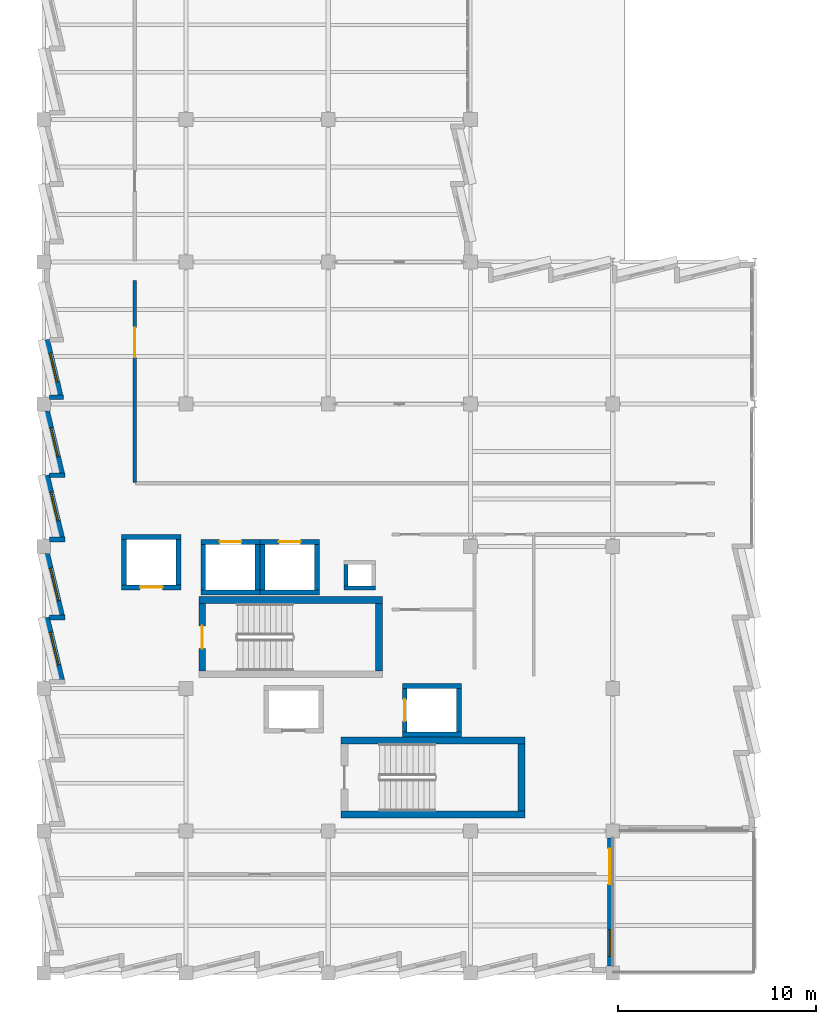
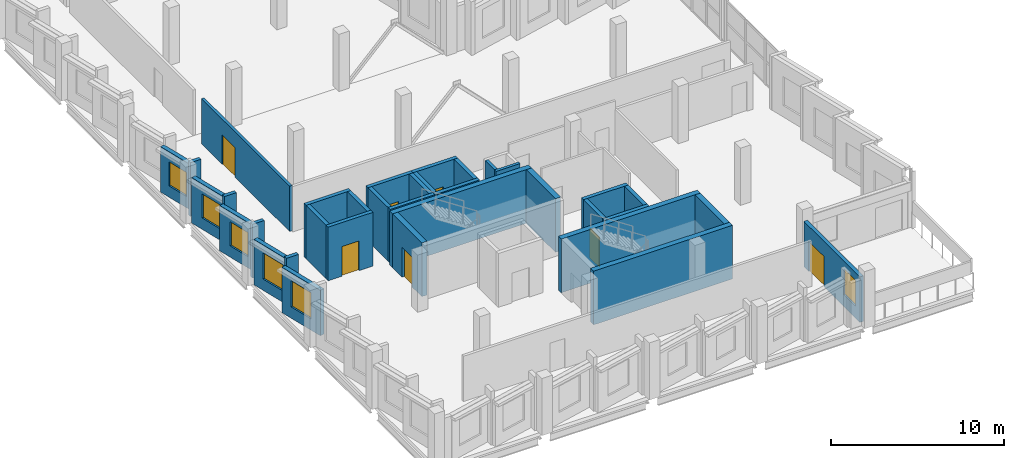
# One storey, part 29 of 38: 35 walls, 7 doors, 6 windows, 13 openings.
"""IFC4 building model written with IfcOpenShell, lengths in metres."""

from ifc_helpers import new_model, si_unit, direction, frame, frame_2d, origin, place, context, subcontext, project, spatial, rectangle, extrude, material, layer, layer_set, type_object, element, fill, save


model = new_model("IFC4")

# Units and contexts
model_context = context("Model", 3, precision=1e-05, world=origin(), true_north=direction((0.0, 1.0)))
body_context = subcontext(model_context, "Body", "Model", "MODEL_VIEW")
ifc_project = project(units=[si_unit("LENGTHUNIT", "METRE"), si_unit("AREAUNIT", "SQUARE_METRE"), si_unit("VOLUMEUNIT", "CUBIC_METRE"), si_unit("PLANEANGLEUNIT", "RADIAN"), si_unit("MASSUNIT", "GRAM", prefix="KILO")], contexts=[model_context])

# Site, building, storey
site_placement = place(None, origin())
site = spatial("IfcSite", under=ifc_project, at=site_placement, CompositionType="ELEMENT")
building_placement = place(site_placement, origin())
building = spatial("IfcBuilding", under=site, at=building_placement, Name="Kalmorath City Hall", CompositionType="ELEMENT")
storey_placement = place(building_placement, frame((0.0, 0.0, 18.89990234375)))
storey = spatial("IfcBuildingStorey", under=building, at=storey_placement, Name="L04", CompositionType="ELEMENT", Elevation=18.89990234375)

# Wall
ifc_material_1 = material(Name="Concrete C50/60", Category="concrete")
ifc_layer_1 = layer(ifc_material_1, 0.35009765625)
ifc_layer_set_1 = layer_set([ifc_layer_1], Name="Concrete C50/60")
wall_type_1 = type_object("IfcWallType", Name="Concrete core shear wall 350", PredefinedType="SHEAR", material=ifc_layer_set_1)
wall_1_placement = place(storey_placement, frame((17.14990234375, 18.875, 0.0), z_axis=(0.0, 0.0, 1.0), x_axis=(-1.0, 0.0, 0.0)))
element("IfcWall", 1, at=wall_1_placement, inside=storey, type_object=wall_type_1, Name="L04 C1 stair core shear wall N", PredefinedType="SHEAR", context=body_context, shape_type="SweptSolid", body=[
    extrude(rectangle(XDim=9.2998046875, YDim=0.35009765625, at=frame_2d((4.64990234375, 0.0))), origin(), (0.0, 0.0, 1.0), 3.800048828125),
])

# Wall, opening, door
wall_2_placement = place(storey_placement, frame((8.02490234375, 18.699951171875, 0.0), z_axis=(0.0, 0.0, 1.0), x_axis=(0.0, -1.0, 0.0)))
wall_2 = element("IfcWall", 2, at=wall_2_placement, inside=storey, type_object=wall_type_1, Name="L04 C1 stair core shear wall W", PredefinedType="SHEAR", context=body_context, shape_type="SweptSolid", body=[
    extrude(rectangle(XDim=3.39990234375, YDim=0.35009765625, at=frame_2d((1.699951171875, 0.0))), origin(), (0.0, 0.0, 1.0), 3.800048828125),
])
opening_1_placement = place(wall_2_placement, frame((1.125, 0.0, 0.0)))
opening_1 = element("IfcOpeningElement", 3, at=opening_1_placement, cuts=wall_2, Name="Opening D-L04-006", PredefinedType="OPENING", context=body_context, shape_type="SweptSolid", body=[
    extrude(rectangle(XDim=1.14990234375, YDim=2.10009765625, at=frame_2d((0.574951171875, 1.050048828125))), frame((0.0, 0.18505859375, 0.0), z_axis=(0.0, -1.0, 0.0), x_axis=(1.0, 0.0, 0.0)), (0.0, 0.0, 1.0), 0.3701171875),
])
ifc_material_2 = material(Name="Galvanised steel fire door", Category="steel")
door_type_1 = type_object("IfcDoorType", Name="Stair enclosure 90-min fire door 1150x2100", OperationType="NOTDEFINED", PredefinedType="DOOR", material=ifc_material_2)
door_1_placement = place(opening_1_placement, frame((1.14990234375, 0.0, 0.0), z_axis=(0.0, 0.0, 1.0), x_axis=(-1.0, 0.0, 0.0)))
door_1 = element("IfcDoor", 4, at=door_1_placement, inside=storey, type_object=door_type_1, Name="L04 door D-L04-006", OperationType="SINGLE_SWING_RIGHT", OverallHeight=2.10009765625, OverallWidth=1.14990234375, PredefinedType="DOOR", context=body_context, shape_type="SweptSolid", body=[
    extrude(rectangle(XDim=1.14990234375, YDim=2.10009765625, at=frame_2d((0.574951171875, 1.050048828125))), frame((0.0, 0.02490234375, 0.0), z_axis=(0.0, -1.0, 0.0), x_axis=(1.0, 0.0, 0.0)), (0.0, 0.0, 1.0), 0.050048828125),
])
fill(opening_1, door_1)

# Walls
wall_3_placement = place(storey_placement, frame((16.97509765625, 15.300048828125, 0.0), z_axis=(0.0, 0.0, 1.0), x_axis=(0.0, 1.0, 0.0)))
element("IfcWall", 5, at=wall_3_placement, inside=storey, type_object=wall_type_1, Name="L04 C1 stair core shear wall E", PredefinedType="SHEAR", context=body_context, shape_type="SweptSolid", body=[
    extrude(rectangle(XDim=3.39990234375, YDim=0.35009765625, at=frame_2d((1.699951171875, 0.0))), origin(), (0.0, 0.0, 1.0), 3.800048828125),
])
for number, where, z_axis, x_axis, name in (
    (6, (15.050048828125, 8.02490234375, 0.0), (0.0, 0.0, 1.0), (1.0, 0.0, 0.0), "L04 C2 stair core shear wall S"),
    (7, (24.35009765625, 11.77490234375, 0.0), (0.0, 0.0, 1.0), (-1.0, 0.0, 0.0), "L04 C2 stair core shear wall N"),
):
    element("IfcWall", number, at=place(storey_placement, frame(where, z_axis=z_axis, x_axis=x_axis)), inside=storey, type_object=wall_type_1, Name=name, PredefinedType="SHEAR", context=body_context, shape_type="SweptSolid", body=[
        extrude(rectangle(XDim=9.300048828125, YDim=0.35009765625, at=frame_2d((4.64990234375, 0.0))), origin(), (0.0, 0.0, 1.0), 3.800048828125),
    ])
wall_4_placement = place(storey_placement, frame((24.175048828125, 8.199951171875, 0.0), z_axis=(0.0, 0.0, 1.0), x_axis=(0.0, 1.0, 0.0)))
element("IfcWall", 8, at=wall_4_placement, inside=storey, type_object=wall_type_1, Name="L04 C2 stair core shear wall E", PredefinedType="SHEAR", context=body_context, shape_type="SweptSolid", body=[
    extrude(rectangle(XDim=3.400146484375, YDim=0.35009765625, at=frame_2d((1.7001953125, 0.0))), origin(), (0.0, 0.0, 1.0), 3.800048828125),
])

# Wall, opening, door
ifc_material_3 = material(Name="Concrete C50/60", Category="concrete")
ifc_layer_2 = layer(ifc_material_3, 0.25)
ifc_layer_set_2 = layer_set([ifc_layer_2], Name="Concrete C50/60")
wall_type_2 = type_object("IfcWallType", Name="Concrete lift shaft wall 250", PredefinedType="SHEAR", material=ifc_layer_set_2)
wall_5_placement = place(storey_placement, frame((3.949951171875, 19.52490234375, 0.0), z_axis=(0.0, 0.0, 1.0), x_axis=(1.0, 0.0, 0.0)))
wall_5 = element("IfcWall", 9, at=wall_5_placement, inside=storey, type_object=wall_type_2, Name="L04 FL1 lift shaft wall -y", PredefinedType="SHEAR", context=body_context, shape_type="SweptSolid", body=[
    extrude(rectangle(XDim=3.0, YDim=0.25, at=frame_2d((1.5, 0.0))), origin(), (0.0, 0.0, 1.0), 3.800048828125),
])
opening_2_placement = place(wall_5_placement, frame((0.925048828125, 0.0, 0.0)))
opening_2 = element("IfcOpeningElement", 10, at=opening_2_placement, cuts=wall_5, Name="Opening LD-015", PredefinedType="OPENING", context=body_context, shape_type="SweptSolid", body=[
    extrude(rectangle(XDim=1.14990234375, YDim=2.10009765625, at=frame_2d((0.574951171875, 1.050048828125))), frame((0.0, 0.135009765625, 0.0), z_axis=(0.0, -1.0, 0.0), x_axis=(1.0, 0.0, 0.0)), (0.0, 0.0, 1.0), 0.27001953125),
])
ifc_material_4 = material(Name="Stainless steel sliding landing door", Category="steel")
door_type_2 = type_object("IfcDoorType", Name="Firefighting lift sliding landing door 1150x2100", OperationType="SLIDING_TO_RIGHT", PredefinedType="DOOR", material=ifc_material_4)
door_2_placement = place(opening_2_placement, origin())
door_2 = element("IfcDoor", 11, at=door_2_placement, inside=storey, type_object=door_type_2, Name="L04 door LD-015", OperationType="SLIDING_TO_RIGHT", OverallHeight=2.10009765625, OverallWidth=1.14990234375, PredefinedType="DOOR", context=body_context, shape_type="SweptSolid", body=[
    extrude(rectangle(XDim=1.14990234375, YDim=2.10009765625, at=frame_2d((0.574951171875, 1.050048828125))), frame((0.0, 0.02490234375, 0.0), z_axis=(0.0, -1.0, 0.0), x_axis=(1.0, 0.0, 0.0)), (0.0, 0.0, 1.0), 0.050048828125),
])
fill(opening_2, door_2)

# Walls
wall_6_placement = place(storey_placement, frame((6.949951171875, 22.074951171875, 0.0), z_axis=(0.0, 0.0, 1.0), x_axis=(-1.0, 0.0, 0.0)))
element("IfcWall", 12, at=wall_6_placement, inside=storey, type_object=wall_type_2, Name="L04 FL1 lift shaft wall +y", PredefinedType="SHEAR", context=body_context, shape_type="SweptSolid", body=[
    extrude(rectangle(XDim=3.0, YDim=0.25, at=frame_2d((1.5, 0.0))), origin(), (0.0, 0.0, 1.0), 3.800048828125),
])
for number, where, z_axis, x_axis, name in (
    (13, (4.074951171875, 21.949951171875, 0.0), (0.0, 0.0, 1.0), (0.0, -1.0, 0.0), "L04 FL1 lift shaft wall -x"),
    (14, (6.824951171875, 19.64990234375, 0.0), (0.0, 0.0, 1.0), (0.0, 1.0, 0.0), "L04 FL1 lift shaft wall +x"),
):
    element("IfcWall", number, at=place(storey_placement, frame(where, z_axis=z_axis, x_axis=x_axis)), inside=storey, type_object=wall_type_2, Name=name, PredefinedType="SHEAR", context=body_context, shape_type="SweptSolid", body=[
        extrude(rectangle(XDim=2.300048828125, YDim=0.25, at=frame_2d((1.14990234375, 0.0))), origin(), (0.0, 0.0, 1.0), 3.800048828125),
    ])
wall_7_placement = place(storey_placement, frame((7.949951171875, 19.27490234375, 0.0), z_axis=(0.0, 0.0, 1.0), x_axis=(1.0, 0.0, 0.0)))
element("IfcWall", 15, at=wall_7_placement, inside=storey, type_object=wall_type_2, Name="L04 PL1 lift shaft wall -y", PredefinedType="SHEAR", context=body_context, shape_type="SweptSolid", body=[
    extrude(rectangle(XDim=3.0, YDim=0.25, at=frame_2d((1.5, 0.0))), origin(), (0.0, 0.0, 1.0), 3.800048828125),
])

# Wall, opening, door
wall_8_placement = place(storey_placement, frame((10.949951171875, 21.824951171875, 0.0), z_axis=(0.0, 0.0, 1.0), x_axis=(-1.0, 0.0, 0.0)))
wall_8 = element("IfcWall", 16, at=wall_8_placement, inside=storey, type_object=wall_type_2, Name="L04 PL1 lift shaft wall +y", PredefinedType="SHEAR", context=body_context, shape_type="SweptSolid", body=[
    extrude(rectangle(XDim=3.0, YDim=0.25, at=frame_2d((1.5, 0.0))), origin(), (0.0, 0.0, 1.0), 3.800048828125),
])
opening_3_placement = place(wall_8_placement, frame((0.949951171875, 0.0, 0.0)))
opening_3 = element("IfcOpeningElement", 17, at=opening_3_placement, cuts=wall_8, Name="Opening LD-024", PredefinedType="OPENING", context=body_context, shape_type="SweptSolid", body=[
    extrude(rectangle(XDim=1.10009765625, YDim=2.10009765625, at=frame_2d((0.550048828125, 1.050048828125))), frame((0.0, 0.135009765625, 0.0), z_axis=(0.0, -1.0, 0.0), x_axis=(1.0, 0.0, 0.0)), (0.0, 0.0, 1.0), 0.27001953125),
])
ifc_material_5 = material(Name="Stainless steel sliding landing door", Category="steel")
door_type_3 = type_object("IfcDoorType", Name="Passenger lift sliding landing door 1100x2100", OperationType="SLIDING_TO_LEFT", PredefinedType="DOOR", material=ifc_material_5)
door_3_placement = place(opening_3_placement, origin())
door_3 = element("IfcDoor", 18, at=door_3_placement, inside=storey, type_object=door_type_3, Name="L04 door LD-024", OperationType="SLIDING_TO_LEFT", OverallHeight=2.10009765625, OverallWidth=1.10009765625, PredefinedType="DOOR", context=body_context, shape_type="SweptSolid", body=[
    extrude(rectangle(XDim=1.10009765625, YDim=2.10009765625, at=frame_2d((0.550048828125, 1.050048828125))), frame((0.0, 0.02490234375, 0.0), z_axis=(0.0, -1.0, 0.0), x_axis=(1.0, 0.0, 0.0)), (0.0, 0.0, 1.0), 0.050048828125),
])
fill(opening_3, door_3)

# Walls
for number, where, z_axis, x_axis, name in (
    (19, (8.074951171875, 21.699951171875, 0.0), (0.0, 0.0, 1.0), (0.0, -1.0, 0.0), "L04 PL1 lift shaft wall -x"),
    (20, (10.824951171875, 19.39990234375, 0.0), (0.0, 0.0, 1.0), (0.0, 1.0, 0.0), "L04 PL1 lift shaft wall +x"),
):
    element("IfcWall", number, at=place(storey_placement, frame(where, z_axis=z_axis, x_axis=x_axis)), inside=storey, type_object=wall_type_2, Name=name, PredefinedType="SHEAR", context=body_context, shape_type="SweptSolid", body=[
        extrude(rectangle(XDim=2.300048828125, YDim=0.25, at=frame_2d((1.14990234375, 0.0))), origin(), (0.0, 0.0, 1.0), 3.800048828125),
    ])
wall_9_placement = place(storey_placement, frame((10.949951171875, 19.27490234375, 0.0), z_axis=(0.0, 0.0, 1.0), x_axis=(1.0, 0.0, 0.0)))
element("IfcWall", 21, at=wall_9_placement, inside=storey, type_object=wall_type_2, Name="L04 PL2 lift shaft wall -y", PredefinedType="SHEAR", context=body_context, shape_type="SweptSolid", body=[
    extrude(rectangle(XDim=3.0, YDim=0.25, at=frame_2d((1.5, 0.0))), origin(), (0.0, 0.0, 1.0), 3.800048828125),
])

# Wall, opening, door
wall_10_placement = place(storey_placement, frame((13.949951171875, 21.824951171875, 0.0), z_axis=(0.0, 0.0, 1.0), x_axis=(-1.0, 0.0, 0.0)))
wall_10 = element("IfcWall", 22, at=wall_10_placement, inside=storey, type_object=wall_type_2, Name="L04 PL2 lift shaft wall +y", PredefinedType="SHEAR", context=body_context, shape_type="SweptSolid", body=[
    extrude(rectangle(XDim=3.0, YDim=0.25, at=frame_2d((1.5, 0.0))), origin(), (0.0, 0.0, 1.0), 3.800048828125),
])
opening_4_placement = place(wall_10_placement, frame((0.949951171875, 0.0, 0.0)))
opening_4 = element("IfcOpeningElement", 23, at=opening_4_placement, cuts=wall_10, Name="Opening LD-033", PredefinedType="OPENING", context=body_context, shape_type="SweptSolid", body=[
    extrude(rectangle(XDim=1.10009765625, YDim=2.10009765625, at=frame_2d((0.550048828125, 1.050048828125))), frame((0.0, 0.135009765625, 0.0), z_axis=(0.0, -1.0, 0.0), x_axis=(1.0, 0.0, 0.0)), (0.0, 0.0, 1.0), 0.27001953125),
])
door_4_placement = place(opening_4_placement, origin())
door_4 = element("IfcDoor", 24, at=door_4_placement, inside=storey, type_object=door_type_3, Name="L04 door LD-033", OperationType="SLIDING_TO_LEFT", OverallHeight=2.10009765625, OverallWidth=1.10009765625, PredefinedType="DOOR", context=body_context, shape_type="SweptSolid", body=[
    extrude(rectangle(XDim=1.10009765625, YDim=2.10009765625, at=frame_2d((0.550048828125, 1.050048828125))), frame((0.0, 0.02490234375, 0.0), z_axis=(0.0, -1.0, 0.0), x_axis=(1.0, 0.0, 0.0)), (0.0, 0.0, 1.0), 0.050048828125),
])
fill(opening_4, door_4)

# Walls
for number, where, z_axis, x_axis, name in (
    (25, (11.074951171875, 21.699951171875, 0.0), (0.0, 0.0, 1.0), (0.0, -1.0, 0.0), "L04 PL2 lift shaft wall -x"),
    (26, (13.824951171875, 19.39990234375, 0.0), (0.0, 0.0, 1.0), (0.0, 1.0, 0.0), "L04 PL2 lift shaft wall +x"),
):
    element("IfcWall", number, at=place(storey_placement, frame(where, z_axis=z_axis, x_axis=x_axis)), inside=storey, type_object=wall_type_2, Name=name, PredefinedType="SHEAR", context=body_context, shape_type="SweptSolid", body=[
        extrude(rectangle(XDim=2.300048828125, YDim=0.25, at=frame_2d((1.14990234375, 0.0))), origin(), (0.0, 0.0, 1.0), 3.800048828125),
    ])
for number, where, z_axis, x_axis, name in (
    (27, (18.14990234375, 12.074951171875, 0.0), (0.0, 0.0, 1.0), (1.0, 0.0, 0.0), "L04 PL3 lift shaft wall -y"),
    (28, (21.14990234375, 14.52490234375, 0.0), (0.0, 0.0, 1.0), (-1.0, 0.0, 0.0), "L04 PL3 lift shaft wall +y"),
):
    element("IfcWall", number, at=place(storey_placement, frame(where, z_axis=z_axis, x_axis=x_axis)), inside=storey, type_object=wall_type_2, Name=name, PredefinedType="SHEAR", context=body_context, shape_type="SweptSolid", body=[
        extrude(rectangle(XDim=3.0, YDim=0.25, at=frame_2d((1.5, 0.0))), origin(), (0.0, 0.0, 1.0), 3.800048828125),
    ])

# Wall, opening, door
wall_11_placement = place(storey_placement, frame((18.27490234375, 14.39990234375, 0.0), z_axis=(0.0, 0.0, 1.0), x_axis=(0.0, -1.0, 0.0)))
wall_11 = element("IfcWall", 29, at=wall_11_placement, inside=storey, type_object=wall_type_2, Name="L04 PL3 lift shaft wall -x", PredefinedType="SHEAR", context=body_context, shape_type="SweptSolid", body=[
    extrude(rectangle(XDim=2.199951171875, YDim=0.25, at=frame_2d((1.10009765625, 0.0))), origin(), (0.0, 0.0, 1.0), 3.800048828125),
])
opening_5_placement = place(wall_11_placement, frame((0.550048828125, 0.0, 0.0)))
opening_5 = element("IfcOpeningElement", 30, at=opening_5_placement, cuts=wall_11, Name="Opening LD-060", PredefinedType="OPENING", context=body_context, shape_type="SweptSolid", body=[
    extrude(rectangle(XDim=1.10009765625, YDim=2.10009765625, at=frame_2d((0.550048828125, 1.050048828125))), frame((0.0, 0.135009765625, 0.0), z_axis=(0.0, -1.0, 0.0), x_axis=(1.0, 0.0, 0.0)), (0.0, 0.0, 1.0), 0.27001953125),
])
door_5_placement = place(opening_5_placement, origin())
door_5 = element("IfcDoor", 31, at=door_5_placement, inside=storey, type_object=door_type_3, Name="L04 door LD-060", OperationType="SLIDING_TO_LEFT", OverallHeight=2.10009765625, OverallWidth=1.10009765625, PredefinedType="DOOR", context=body_context, shape_type="SweptSolid", body=[
    extrude(rectangle(XDim=1.10009765625, YDim=2.10009765625, at=frame_2d((0.550048828125, 1.050048828125))), frame((0.0, 0.02490234375, 0.0), z_axis=(0.0, -1.0, 0.0), x_axis=(1.0, 0.0, 0.0)), (0.0, 0.0, 1.0), 0.050048828125),
])
fill(opening_5, door_5)

# Walls
wall_12_placement = place(storey_placement, frame((21.02490234375, 12.199951171875, 0.0), z_axis=(0.0, 0.0, 1.0), x_axis=(0.0, 1.0, 0.0)))
element("IfcWall", 32, at=wall_12_placement, inside=storey, type_object=wall_type_2, Name="L04 PL3 lift shaft wall +x", PredefinedType="SHEAR", context=body_context, shape_type="SweptSolid", body=[
    extrude(rectangle(XDim=2.199951171875, YDim=0.25, at=frame_2d((1.10009765625, 0.0))), origin(), (0.0, 0.0, 1.0), 3.800048828125),
])
ifc_material_6 = material(Name="Concrete C40/50", Category="concrete")
ifc_layer_3 = layer(ifc_material_6, 0.199951171875)
ifc_layer_set_3 = layer_set([ifc_layer_3], Name="Concrete C40/50")
wall_type_3 = type_object("IfcWallType", Name="Concrete service riser wall 200", PredefinedType="SOLIDWALL", material=ifc_layer_set_3)
wall_13_placement = place(storey_placement, frame((15.199951171875, 19.5, 0.0), z_axis=(0.0, 0.0, 1.0), x_axis=(1.0, 0.0, 0.0)))
element("IfcWall", 33, at=wall_13_placement, inside=storey, type_object=wall_type_3, Name="L04 RSR-1 riser shaft wall S", PredefinedType="SOLIDWALL", context=body_context, shape_type="SweptSolid", body=[
    extrude(rectangle(XDim=1.60009765625, YDim=0.199951171875, at=frame_2d((0.800048828125, 0.0))), origin(), (0.0, 0.0, 1.0), 3.800048828125),
])
wall_14_placement = place(storey_placement, frame((15.300048828125, 20.679931640625, 0.0), z_axis=(0.0, 0.0, 1.0), x_axis=(0.0, -1.0, 0.0)))
element("IfcWall", 34, at=wall_14_placement, inside=storey, type_object=wall_type_3, Name="L04 RSR-1 riser shaft wall W", PredefinedType="SOLIDWALL", context=body_context, shape_type="SweptSolid", body=[
    extrude(rectangle(XDim=1.079833984375, YDim=0.199951171875, at=frame_2d((0.5400390625, 0.0))), origin(), (0.0, 0.0, 1.0), 3.800048828125),
])

# Wall, opening, door
ifc_material_7 = material(Name="Fire-rated acoustic gypsum partition")
ifc_layer_4 = layer(ifc_material_7, 0.179931640625)
ifc_layer_set_4 = layer_set([ifc_layer_4], Name="Fire-rated acoustic gypsum partition")
wall_type_4 = type_object("IfcWallType", Name="One-hour corridor fire partition 180", PredefinedType="PARTITIONING", material=ifc_layer_set_4)
wall_15_placement = place(storey_placement, frame((4.60009765625, 24.840087890625, 0.0), z_axis=(0.0, 0.0, 1.0), x_axis=(0.0, 1.0, 0.0)))
wall_15 = element("IfcWall", 35, at=wall_15_placement, inside=storey, type_object=wall_type_4, Name="L04 interior partition PW2 #156", PredefinedType="PARTITIONING", context=body_context, shape_type="SweptSolid", body=[
    extrude(rectangle(XDim=10.219970703125, YDim=0.179931640625, at=frame_2d((5.10986328125, 0.0))), origin(), (0.0, 0.0, 1.0), 3.2080078125),
])
opening_6_placement = place(wall_15_placement, frame((6.330078125, 0.0, 0.0)))
opening_6 = element("IfcOpeningElement", 36, at=opening_6_placement, cuts=wall_15, Name="Opening D-L04-244", PredefinedType="OPENING", context=body_context, shape_type="SweptSolid", body=[
    extrude(rectangle(XDim=1.5, YDim=2.10009765625, at=frame_2d((0.75, 1.050048828125))), frame((0.0, 0.099853515625, 0.0), z_axis=(0.0, -1.0, 0.0), x_axis=(1.0, 0.0, 0.0)), (0.0, 0.0, 1.0), 0.199951171875),
])
ifc_material_8 = material(Name="Hardwood veneer door", Category="wood")
door_type_4 = type_object("IfcDoorType", Name="Conference suite double door 1500x2100", OperationType="DOUBLE_DOOR_SINGLE_SWING", PredefinedType="DOOR", material=ifc_material_8)
door_6_placement = place(opening_6_placement, origin())
door_6 = element("IfcDoor", 37, at=door_6_placement, inside=storey, type_object=door_type_4, Name="L04 door D-L04-244", OperationType="DOUBLE_DOOR_SINGLE_SWING", OverallHeight=2.10009765625, OverallWidth=1.5, PredefinedType="DOOR", context=body_context, shape_type="SweptSolid", body=[
    extrude(rectangle(XDim=1.5, YDim=2.10009765625, at=frame_2d((0.75, 1.050048828125))), frame((0.0, 0.02490234375, 0.0), z_axis=(0.0, -1.0, 0.0), x_axis=(1.0, 0.0, 0.0)), (0.0, 0.0, 1.0), 0.050048828125),
])
fill(opening_6, door_6)

# Walls
ifc_material_9 = material(Name="Precast concrete C40/50", Category="concrete")
ifc_layer_5 = layer(ifc_material_9, 0.239990234375)
ifc_layer_set_5 = layer_set([ifc_layer_5], Name="Precast concrete C40/50")
wall_type_5 = type_object("IfcWallType", Name="Precast sawtooth cheek wall 240", PredefinedType="SOLIDWALL", material=ifc_layer_set_5)
for number, where, z_axis, x_axis, name in (
    (38, (1.0849609375, 18.0, 0.0), (0.0, 0.0, 1.0), (-1.0, 0.0, 0.0), "L04 sawtooth return cheek #755"),
    (39, (1.0849609375, 21.950927734375, 0.0), (0.0, 0.0, 1.0), (-1.0, 0.0, 0.0), "L04 sawtooth return cheek #757"),
    (40, (1.0849609375, 25.199951171875, 0.0), (0.0, 0.0, 1.0), (-1.0, 0.0, 0.0), "L04 sawtooth return cheek #759"),
):
    element("IfcWall", number, at=place(storey_placement, frame(where, z_axis=z_axis, x_axis=x_axis)), inside=storey, type_object=wall_type_5, Name=name, PredefinedType="SOLIDWALL", context=body_context, shape_type="SweptSolid", body=[
        extrude(rectangle(XDim=0.79296875, YDim=0.239990234375, at=frame_2d((0.396484375, 0.0))), origin(), (0.0, 0.0, 1.0), 3.800048828125),
    ])
wall_16_placement = place(storey_placement, frame((1.00341796875, 29.15087890625, 0.0), z_axis=(0.0, 0.0, 1.0), x_axis=(-1.0, 0.0, 0.0)))
element("IfcWall", 41, at=wall_16_placement, inside=storey, type_object=wall_type_5, Name="L04 sawtooth return cheek #762", PredefinedType="SOLIDWALL", context=body_context, shape_type="SweptSolid", body=[
    extrude(rectangle(XDim=0.71142578125, YDim=0.239990234375, at=frame_2d((0.355712890625, 0.0))), origin(), (0.0, 0.0, 1.0), 3.800048828125),
])

# Wall, opening, window
ifc_material_10 = material(Name="Precast concrete C40/50", Category="concrete")
ifc_layer_6 = layer(ifc_material_10, 0.280029296875)
ifc_layer_set_6 = layer_set([ifc_layer_6], Name="Precast concrete C40/50")
wall_type_6 = type_object("IfcWallType", Name="Precast sawtooth facade wall 280", PredefinedType="SOLIDWALL", material=ifc_layer_set_6)
wall_17_placement = place(storey_placement, frame((0.917724609375, 14.843505859375, 0.0), z_axis=(0.0, 0.0, 1.0), x_axis=(-0.233446908634, 0.972369549528, 0.0)))
wall_17 = element("IfcWall", 42, at=wall_17_placement, inside=storey, type_object=wall_type_6, Name="L04 sawtooth precast frame #752", PredefinedType="SOLIDWALL", context=body_context, shape_type="SweptSolid", body=[
    extrude(rectangle(XDim=3.24609375, YDim=0.280029296875, at=frame_2d((1.623046875, 0.0))), origin(), (0.0, 0.0, 1.0), 3.216064453125),
])
opening_7_placement = place(wall_17_placement, frame((0.773193359375, 0.0, 0.800048828125)))
opening_7 = element("IfcOpeningElement", 43, at=opening_7_placement, cuts=wall_17, Name="Opening WN6", PredefinedType="OPENING", context=body_context, shape_type="SweptSolid", body=[
    extrude(rectangle(XDim=1.699951171875, YDim=1.85009765625, at=frame_2d((0.85009765625, 0.925048828125))), frame((0.0, 0.14990234375, 0.0), z_axis=(0.0, -1.0, 0.0), x_axis=(1.0, 0.0, 0.0)), (0.0, 0.0, 1.0), 0.300048828125),
])
ifc_material_11 = material(Name="Aluminium and laminated glass", Category="aluminium")
window_type_1 = type_object("IfcWindowType", Name="Sawtooth west wing window 1700x1850", PartitioningType="SINGLE_PANEL", PredefinedType="WINDOW", material=ifc_material_11)
window_1_placement = place(opening_7_placement, origin())
window_1 = element("IfcWindow", 44, at=window_1_placement, inside=storey, type_object=window_type_1, Name="L04 window WN6-396", OverallHeight=1.85009765625, OverallWidth=1.699951171875, PartitioningType="SINGLE_PANEL", PredefinedType="WINDOW", context=body_context, shape_type="SweptSolid", body=[
    extrude(rectangle(XDim=1.699951171875, YDim=1.85009765625, at=frame_2d((0.85009765625, 0.925048828125))), frame((0.0, 0.030029296875, 0.0), z_axis=(0.0, -1.0, 0.0), x_axis=(1.0, 0.0, 0.0)), (0.0, 0.0, 1.0), 0.06005859375),
])
fill(opening_7, window_1)

wall_18_placement = place(storey_placement, frame((0.917724609375, 18.09228515625, 0.0), z_axis=(0.0, 0.0, 1.0), x_axis=(-0.233429837788, 0.972373647746, 0.0)))
wall_18 = element("IfcWall", 45, at=wall_18_placement, inside=storey, type_object=wall_type_6, Name="L04 sawtooth precast frame #754", PredefinedType="SOLIDWALL", context=body_context, shape_type="SweptSolid", body=[
    extrude(rectangle(XDim=3.246337890625, YDim=0.280029296875, at=frame_2d((1.623046875, 0.0))), origin(), (0.0, 0.0, 1.0), 3.216064453125),
])
opening_8_placement = place(wall_18_placement, frame((0.773193359375, 0.0, 0.800048828125)))
opening_8 = element("IfcOpeningElement", 46, at=opening_8_placement, cuts=wall_18, Name="Opening WN6", PredefinedType="OPENING", context=body_context, shape_type="SweptSolid", body=[
    extrude(rectangle(XDim=1.699951171875, YDim=1.85009765625, at=frame_2d((0.85009765625, 0.925048828125))), frame((0.0, 0.14990234375, 0.0), z_axis=(0.0, -1.0, 0.0), x_axis=(1.0, 0.0, 0.0)), (0.0, 0.0, 1.0), 0.300048828125),
])
window_2_placement = place(opening_8_placement, origin())
window_2 = element("IfcWindow", 47, at=window_2_placement, inside=storey, type_object=window_type_1, Name="L04 window WN6-397", OverallHeight=1.85009765625, OverallWidth=1.699951171875, PartitioningType="SINGLE_PANEL", PredefinedType="WINDOW", context=body_context, shape_type="SweptSolid", body=[
    extrude(rectangle(XDim=1.699951171875, YDim=1.85009765625, at=frame_2d((0.85009765625, 0.925048828125))), frame((0.0, 0.030029296875, 0.0), z_axis=(0.0, -1.0, 0.0), x_axis=(1.0, 0.0, 0.0)), (0.0, 0.0, 1.0), 0.06005859375),
])
fill(opening_8, window_2)

wall_19_placement = place(storey_placement, frame((0.917724609375, 22.04345703125, 0.0), z_axis=(0.0, 0.0, 1.0), x_axis=(-0.233446908634, 0.972369549528, 0.0)))
wall_19 = element("IfcWall", 48, at=wall_19_placement, inside=storey, type_object=wall_type_6, Name="L04 sawtooth precast frame #756", PredefinedType="SOLIDWALL", context=body_context, shape_type="SweptSolid", body=[
    extrude(rectangle(XDim=3.24609375, YDim=0.280029296875, at=frame_2d((1.623046875, 0.0))), origin(), (0.0, 0.0, 1.0), 3.216064453125),
])
opening_9_placement = place(wall_19_placement, frame((0.873291015625, 0.0, 0.800048828125)))
opening_9 = element("IfcOpeningElement", 49, at=opening_9_placement, cuts=wall_19, Name="Opening WN7", PredefinedType="OPENING", context=body_context, shape_type="SweptSolid", body=[
    extrude(rectangle(XDim=1.5, YDim=1.699951171875, at=frame_2d((0.75, 0.85009765625))), frame((0.0, 0.14990234375, 0.0), z_axis=(0.0, -1.0, 0.0), x_axis=(1.0, 0.0, 0.0)), (0.0, 0.0, 1.0), 0.300048828125),
])
ifc_material_12 = material(Name="Aluminium and laminated glass", Category="aluminium")
window_type_2 = type_object("IfcWindowType", Name="Sawtooth top storey window 1500x1700", PartitioningType="SINGLE_PANEL", PredefinedType="WINDOW", material=ifc_material_12)
window_3_placement = place(opening_9_placement, origin())
window_3 = element("IfcWindow", 50, at=window_3_placement, inside=storey, type_object=window_type_2, Name="L04 window WN7-398", OverallHeight=1.699951171875, OverallWidth=1.5, PartitioningType="SINGLE_PANEL", PredefinedType="WINDOW", context=body_context, shape_type="SweptSolid", body=[
    extrude(rectangle(XDim=1.5, YDim=1.699951171875, at=frame_2d((0.75, 0.85009765625))), frame((0.0, 0.030029296875, 0.0), z_axis=(0.0, -1.0, 0.0), x_axis=(1.0, 0.0, 0.0)), (0.0, 0.0, 1.0), 0.06005859375),
])
fill(opening_9, window_3)

wall_20_placement = place(storey_placement, frame((0.917724609375, 25.29248046875, 0.0), z_axis=(0.0, 0.0, 1.0), x_axis=(-0.233446908634, 0.972369549528, 0.0)))
wall_20 = element("IfcWall", 51, at=wall_20_placement, inside=storey, type_object=wall_type_6, Name="L04 sawtooth precast frame #758", PredefinedType="SOLIDWALL", context=body_context, shape_type="SweptSolid", body=[
    extrude(rectangle(XDim=3.24609375, YDim=0.280029296875, at=frame_2d((1.623046875, 0.0))), origin(), (0.0, 0.0, 1.0), 3.216064453125),
])
opening_10_placement = place(wall_20_placement, frame((0.873291015625, 0.0, 0.800048828125)))
opening_10 = element("IfcOpeningElement", 52, at=opening_10_placement, cuts=wall_20, Name="Opening WN7", PredefinedType="OPENING", context=body_context, shape_type="SweptSolid", body=[
    extrude(rectangle(XDim=1.5, YDim=1.699951171875, at=frame_2d((0.75, 0.85009765625))), frame((0.0, 0.14990234375, 0.0), z_axis=(0.0, -1.0, 0.0), x_axis=(1.0, 0.0, 0.0)), (0.0, 0.0, 1.0), 0.300048828125),
])
window_4_placement = place(opening_10_placement, origin())
window_4 = element("IfcWindow", 53, at=window_4_placement, inside=storey, type_object=window_type_2, Name="L04 window WN7-399", OverallHeight=1.699951171875, OverallWidth=1.5, PartitioningType="SINGLE_PANEL", PredefinedType="WINDOW", context=body_context, shape_type="SweptSolid", body=[
    extrude(rectangle(XDim=1.5, YDim=1.699951171875, at=frame_2d((0.75, 0.85009765625))), frame((0.0, 0.030029296875, 0.0), z_axis=(0.0, -1.0, 0.0), x_axis=(1.0, 0.0, 0.0)), (0.0, 0.0, 1.0), 0.06005859375),
])
fill(opening_10, window_4)

wall_21_placement = place(storey_placement, frame((0.836181640625, 29.243408203125, 0.0), z_axis=(0.0, 0.0, 1.0), x_axis=(-0.233462206666, 0.972365876643, 0.0)))
wall_21 = element("IfcWall", 54, at=wall_21_placement, inside=storey, type_object=wall_type_6, Name="L04 sawtooth precast frame #761", PredefinedType="SOLIDWALL", context=body_context, shape_type="SweptSolid", body=[
    extrude(rectangle(XDim=2.896728515625, YDim=0.280029296875, at=frame_2d((1.4482421875, 0.0))), origin(), (0.0, 0.0, 1.0), 3.216064453125),
])
opening_11_placement = place(wall_21_placement, frame((0.6982421875, 0.0, 0.800048828125)))
opening_11 = element("IfcOpeningElement", 55, at=opening_11_placement, cuts=wall_21, Name="Opening WN7", PredefinedType="OPENING", context=body_context, shape_type="SweptSolid", body=[
    extrude(rectangle(XDim=1.5, YDim=1.699951171875, at=frame_2d((0.75, 0.85009765625))), frame((0.0, 0.14990234375, 0.0), z_axis=(0.0, -1.0, 0.0), x_axis=(1.0, 0.0, 0.0)), (0.0, 0.0, 1.0), 0.300048828125),
])
window_5_placement = place(opening_11_placement, origin())
window_5 = element("IfcWindow", 56, at=window_5_placement, inside=storey, type_object=window_type_2, Name="L04 window WN7-400", OverallHeight=1.699951171875, OverallWidth=1.5, PartitioningType="SINGLE_PANEL", PredefinedType="WINDOW", context=body_context, shape_type="SweptSolid", body=[
    extrude(rectangle(XDim=1.5, YDim=1.699951171875, at=frame_2d((0.75, 0.85009765625))), frame((0.0, 0.030029296875, 0.0), z_axis=(0.0, -1.0, 0.0), x_axis=(1.0, 0.0, 0.0)), (0.0, 0.0, 1.0), 0.06005859375),
])
fill(opening_11, window_5)

# Wall, openings, door, window
ifc_material_13 = material(Name="Precast concrete C40/50", Category="concrete")
ifc_layer_7 = layer(ifc_material_13, 0.239990234375)
ifc_layer_set_7 = layer_set([ifc_layer_7], Name="Precast concrete C40/50")
wall_type_7 = type_object("IfcWallType", Name="Recessed loggia insulated wall 240", PredefinedType="SOLIDWALL", material=ifc_layer_set_7)
wall_22_placement = place(storey_placement, frame((28.659912109375, 6.84912109375, 0.0), z_axis=(0.0, 0.0, 1.0), x_axis=(0.0, -1.0, 0.0)))
wall_22 = element("IfcWall", 57, at=wall_22_placement, inside=storey, type_object=wall_type_7, Name="L04 loggia wall #724", PredefinedType="SOLIDWALL", context=body_context, shape_type="SweptSolid", body=[
    extrude(rectangle(XDim=6.498046875, YDim=0.239990234375, at=frame_2d((3.2490234375, 0.0))), origin(), (0.0, 0.0, 1.0), 3.216064453125),
])
opening_12_placement = place(wall_22_placement, frame((0.550048828125, 0.0, 0.0)))
opening_12 = element("IfcOpeningElement", 58, at=opening_12_placement, cuts=wall_22, Name="Opening D-E028", PredefinedType="OPENING", context=body_context, shape_type="SweptSolid", body=[
    extrude(rectangle(XDim=1.800048828125, YDim=2.14990234375, at=frame_2d((0.89990234375, 1.074951171875))), frame((0.0, 0.1298828125, 0.0), z_axis=(0.0, -1.0, 0.0), x_axis=(1.0, 0.0, 0.0)), (0.0, 0.0, 1.0), 0.260009765625),
])
opening_13_placement = place(wall_22_placement, frame((4.64794921875, 0.0, 0.85009765625)))
opening_13 = element("IfcOpeningElement", 59, at=opening_13_placement, cuts=wall_22, Name="Opening WN17", PredefinedType="OPENING", context=body_context, shape_type="SweptSolid", body=[
    extrude(rectangle(XDim=1.35009765625, YDim=1.85009765625, at=frame_2d((0.675048828125, 0.925048828125))), frame((0.0, 0.1298828125, 0.0), z_axis=(0.0, -1.0, 0.0), x_axis=(1.0, 0.0, 0.0)), (0.0, 0.0, 1.0), 0.260009765625),
])
ifc_material_14 = material(Name="Bronze-anodised aluminium and glass", Category="aluminium")
door_type_5 = type_object("IfcDoorType", Name="Roof garden double terrace door 1800x2150", OperationType="DOUBLE_DOOR_SINGLE_SWING", PredefinedType="DOOR", material=ifc_material_14)
door_7_placement = place(opening_12_placement, origin())
door_7 = element("IfcDoor", 60, at=door_7_placement, inside=storey, type_object=door_type_5, Name="L04 exterior door D-E028", OperationType="DOUBLE_DOOR_SINGLE_SWING", OverallHeight=2.14990234375, OverallWidth=1.800048828125, PredefinedType="DOOR", context=body_context, shape_type="SweptSolid", body=[
    extrude(rectangle(XDim=1.800048828125, YDim=2.14990234375, at=frame_2d((0.89990234375, 1.074951171875))), frame((0.0, 0.02490234375, 0.0), z_axis=(0.0, -1.0, 0.0), x_axis=(1.0, 0.0, 0.0)), (0.0, 0.0, 1.0), 0.050048828125),
])
fill(opening_12, door_7)
ifc_material_15 = material(Name="Hardwood-trimmed laminated glass", Category="wood")
window_type_3 = type_object("IfcWindowType", Name="Terrace overlook window 1350x1850", PartitioningType="SINGLE_PANEL", PredefinedType="WINDOW", material=ifc_material_15)
window_6_placement = place(opening_13_placement, origin())
window_6 = element("IfcWindow", 61, at=window_6_placement, inside=storey, type_object=window_type_3, Name="L04 window WN17-383", OverallHeight=1.85009765625, OverallWidth=1.35009765625, PartitioningType="SINGLE_PANEL", PredefinedType="WINDOW", context=body_context, shape_type="SweptSolid", body=[
    extrude(rectangle(XDim=1.35009765625, YDim=1.85009765625, at=frame_2d((0.675048828125, 0.925048828125))), frame((0.0, 0.030029296875, 0.0), z_axis=(0.0, -1.0, 0.0), x_axis=(1.0, 0.0, 0.0)), (0.0, 0.0, 1.0), 0.06005859375),
])
fill(opening_13, window_6)

save(model, "model.ifc")
